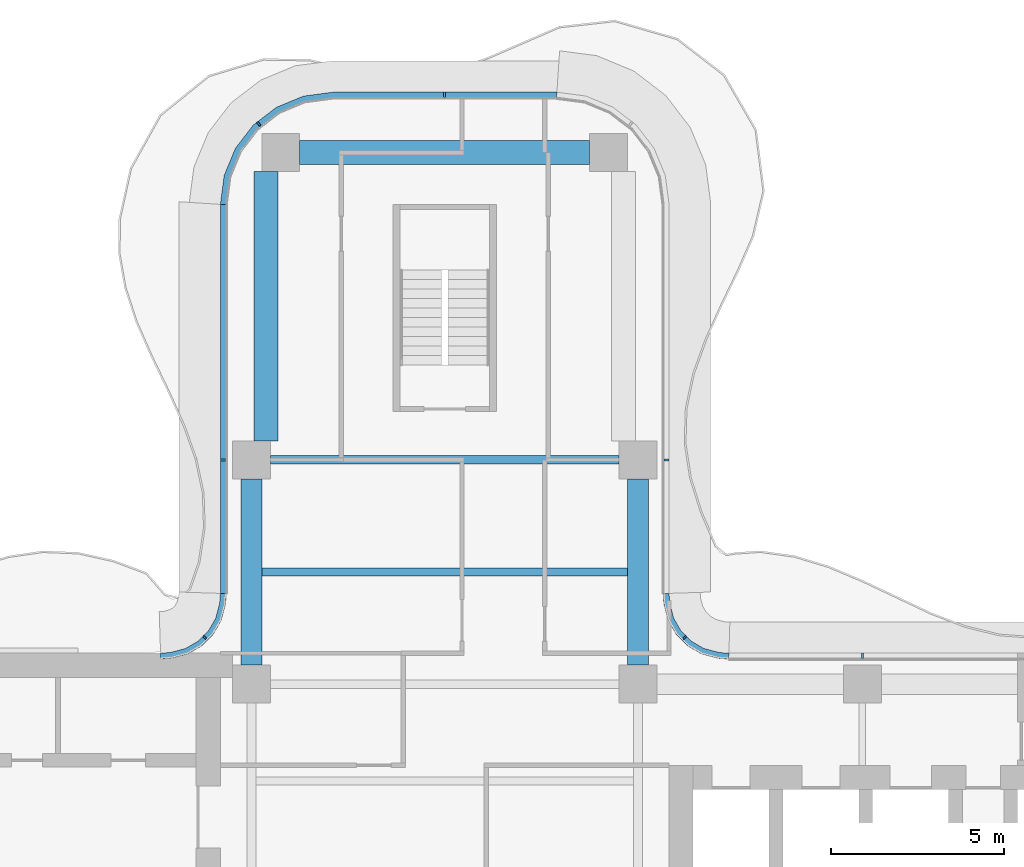
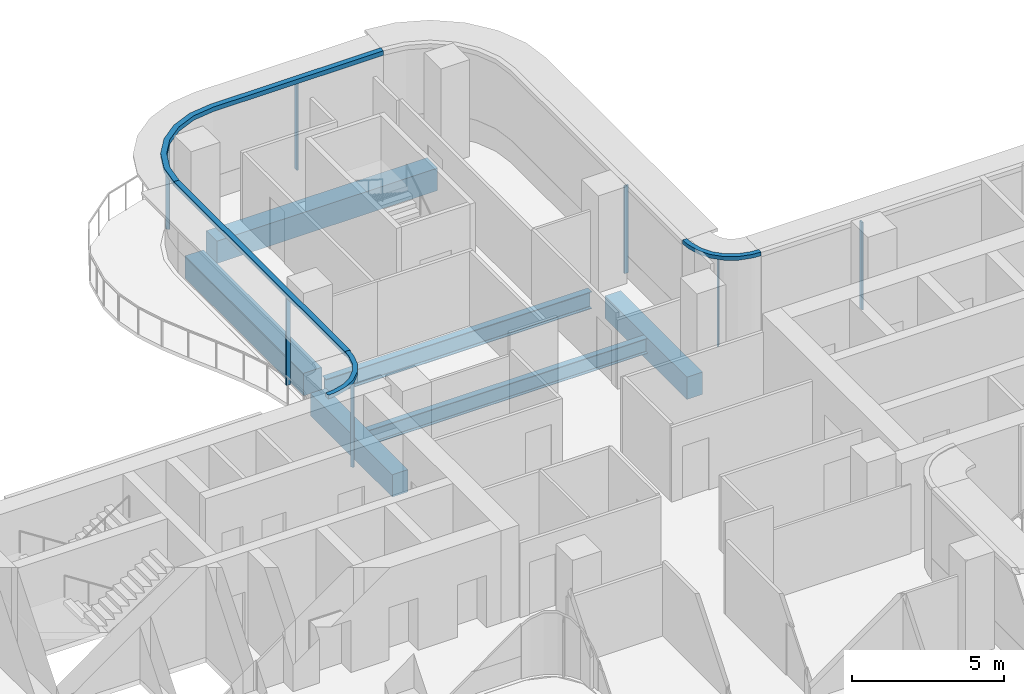
# One storey, part 7 of 17: 11 members, 6 beams, 6 elements without a shape of their own.
"""IFC4 building model written with IfcOpenShell, lengths in metres."""

from ifc_helpers import new_model, si_unit, direction, frame, origin, origin_2d, place, context, subcontext, project, spatial, polyline, rectangle, i_section, outline, extrude, source, transform, mapped, material, layer, layer_set, material_profile, profile_set, type_object, element, aggregate, save


model = new_model("IFC4")

# Units and contexts
model_context = context("Model", 3, precision=1e-05, world=origin(), true_north=direction((0.0, 1.0)))
body_context = subcontext(model_context, "Body", "Model", "MODEL_VIEW")
ifc_project = project(units=[si_unit("LENGTHUNIT", "METRE"), si_unit("AREAUNIT", "SQUARE_METRE"), si_unit("VOLUMEUNIT", "CUBIC_METRE"), si_unit("PLANEANGLEUNIT", "RADIAN"), si_unit("MASSUNIT", "GRAM", prefix="KILO")], contexts=[model_context])

# Site, building, storey
site_placement = place(None, origin())
site = spatial("IfcSite", under=ifc_project, at=site_placement, CompositionType="ELEMENT")
building_placement = place(site_placement, origin())
building = spatial("IfcBuilding", under=site, at=building_placement, Name="Trellis Farm Tower", CompositionType="ELEMENT")
storey_placement = place(building_placement, frame((0.0, 0.0, 240.199951171875)))
storey = spatial("IfcBuildingStorey", under=building, at=storey_placement, Name="L53", CompositionType="ELEMENT", Elevation=240.199951171875)

# Beams
ifc_material_1 = material(Name="Steel S355", Category="steel")
ifc_material_profile_1 = material_profile(ifc_material_1, i_section(OverallWidth=0.22900390625, OverallDepth=0.6123046875, WebThickness=0.011962890625, FlangeThickness=0.01953125, FilletRadius=0.0126953125, at=origin_2d()), Name="UB 610x229x125")
ifc_profile_set_1 = profile_set([ifc_material_profile_1], Name="Steel S355")
beam_type_1 = type_object("IfcBeamType", Name="UB 610x229x125 joist", PredefinedType="JOIST", material=ifc_profile_set_1)
shared_shape_1 = source(origin(), body_context, "Body", "SweptSolid", [
    extrude(i_section(OverallWidth=0.22900390625, OverallDepth=0.6123046875, WebThickness=0.011962890625, FlangeThickness=0.01953125, FilletRadius=0.0126953125, at=origin_2d()), origin(), (0.0, 0.0, 1.0), 10.60009765625),
])
beam_1_placement = place(storey_placement, frame((-5.300048828125, 8.85009765625, -0.506103515625), z_axis=(1.0, 0.0, 0.0), x_axis=(0.0, 1.0, 0.0)))
element("IfcBeam", 1, at=beam_1_placement, inside=storey, type_object=beam_type_1, Name="Floor beam", PredefinedType="JOIST", context=body_context, shape_type="MappedRepresentation", body=[
    mapped(shared_shape_1, transform((0.0, 0.0, 0.0))),
])
ifc_material_profile_2 = material_profile(ifc_material_1, i_section(OverallWidth=0.253662109375, OverallDepth=0.68359375, WebThickness=0.012451171875, FlangeThickness=0.021728515625, FilletRadius=0.01513671875, at=origin_2d()), Name="UB 686x254x140")
ifc_profile_set_2 = profile_set([ifc_material_profile_2], Name="Steel S355")
beam_type_2 = type_object("IfcBeamType", Name="UB 686x254x140", PredefinedType="BEAM", material=ifc_profile_set_2)
shared_shape_2 = source(origin(), body_context, "Body", "SweptSolid", [
    extrude(i_section(OverallWidth=0.253662109375, OverallDepth=0.68359375, WebThickness=0.012451171875, FlangeThickness=0.021728515625, FilletRadius=0.01513671875, at=origin_2d()), origin(), (0.0, 0.0, 1.0), 10.10009765625),
])
beam_2_placement = place(storey_placement, frame((-5.050048828125, 12.10009765625, -0.541748046875), z_axis=(1.0, 0.0, 0.0), x_axis=(0.0, 1.0, 0.0)))
element("IfcBeam", 2, at=beam_2_placement, inside=storey, type_object=beam_type_2, Name="Girder", PredefinedType="BEAM", context=body_context, shape_type="MappedRepresentation", body=[
    mapped(shared_shape_2, transform((0.0, 0.0, 0.0))),
])
ifc_material_2 = material(Name="Concrete C60/75", Category="concrete")
ifc_material_profile_3 = material_profile(ifc_material_2, rectangle(XDim=0.60009765625, YDim=0.89990234375, at=origin_2d()), Name="RC spandrel beam 600x900 C60/75")
ifc_profile_set_3 = profile_set([ifc_material_profile_3], Name="Concrete C60/75")
beam_type_3 = type_object("IfcBeamType", Name="RC spandrel beam 600x900 C60/75", PredefinedType="SPANDREL", material=ifc_profile_set_3)
shared_shape_3 = source(origin(), body_context, "Body", "SweptSolid", [
    extrude(rectangle(XDim=0.60009765625, YDim=0.89990234375, at=origin_2d()), origin(), (0.0, 0.0, 1.0), 5.400146484375),
])
for number, where, z_axis, x_axis, name in (
    (3, (-5.60009765625, 6.14990234375, -0.64990234375), (0.0, 1.0, 0.0), (-1.0, 0.0, 0.0), "Girder"),
    (4, (5.60009765625, 6.14990234375, -0.64990234375), (0.0, 1.0, 0.0), (-1.0, 0.0, 0.0), "Girder"),
):
    element("IfcBeam", number, at=place(storey_placement, frame(where, z_axis=z_axis, x_axis=x_axis)), inside=storey, type_object=beam_type_3, Name=name, PredefinedType="SPANDREL", context=body_context, shape_type="MappedRepresentation", body=[
        mapped(shared_shape_3, transform((0.0, 0.0, 0.0))),
    ])
ifc_material_profile_4 = material_profile(ifc_material_2, rectangle(XDim=0.699951171875, YDim=0.89990234375, at=origin_2d()), Name="RC spandrel beam 700x900 C60/75")
ifc_profile_set_4 = profile_set([ifc_material_profile_4], Name="Concrete C60/75")
beam_type_4 = type_object("IfcBeamType", Name="RC spandrel beam 700x900 C60/75", PredefinedType="SPANDREL", material=ifc_profile_set_4)
shared_shape_4 = source(origin(), body_context, "Body", "SweptSolid", [
    extrude(rectangle(XDim=0.699951171875, YDim=0.89990234375, at=origin_2d()), origin(), (0.0, 0.0, 1.0), 8.39990234375),
])
beam_3_placement = place(storey_placement, frame((-4.199951171875, 21.0, -0.64990234375), z_axis=(1.0, 0.0, 0.0), x_axis=(0.0, 1.0, 0.0)))
element("IfcBeam", 5, at=beam_3_placement, inside=storey, type_object=beam_type_4, Name="Girder", PredefinedType="SPANDREL", context=body_context, shape_type="MappedRepresentation", body=[
    mapped(shared_shape_4, transform((0.0, 0.0, 0.0))),
])
shared_shape_5 = source(origin(), body_context, "Body", "SweptSolid", [
    extrude(rectangle(XDim=0.699951171875, YDim=0.89990234375, at=origin_2d()), origin(), (0.0, 0.0, 1.0), 7.800048828125),
])
beam_4_placement = place(storey_placement, frame((-5.175048828125, 12.64990234375, -0.64990234375), z_axis=(0.0, 1.0, 0.0), x_axis=(-1.0, 0.0, 0.0)))
element("IfcBeam", 6, at=beam_4_placement, inside=storey, type_object=beam_type_4, Name="Girder", PredefinedType="SPANDREL", context=body_context, shape_type="MappedRepresentation", body=[
    mapped(shared_shape_5, transform((0.0, 0.0, 0.0))),
])

# Curtain wall, member
ifc_material_3 = material(Name="Aluminium and glass curtain wall", Category="aluminium")
ifc_layer_1 = layer(ifc_material_3, 0.166015625)
ifc_layer_set_1 = layer_set([ifc_layer_1], Name="WINTER GARDEN CURTAIN WALL CW3")
curtain_wall_type_1 = type_object("IfcCurtainWallType", Name="WINTER GARDEN CURTAIN WALL CW3", PredefinedType="NOTDEFINED", material=ifc_layer_set_1)
placement_1 = place(storey_placement, origin())
curtain_wall_1 = element("IfcCurtainWall", 7, at=placement_1, inside=storey, type_object=curtain_wall_type_1, Name="CW3 003", PredefinedType="NOTDEFINED")
ifc_material_4 = material(Name="Aluminium extrusion 6063-T6", Category="aluminium")
ifc_layer_2 = layer(ifc_material_4, 0.169921875)
ifc_layer_set_2 = layer_set([ifc_layer_2], Name="Aluminium extrusion 6063-T6")
member_type_1 = type_object("IfcMemberType", Name="CW3 TRANSOM 170x150", PredefinedType="USERDEFINED", material=ifc_layer_set_2)
shared_shape_6 = source(origin(), body_context, "Body", "SweptSolid", [
    extrude(outline(polyline([(8.2314453125, 6.5), (8.01953125, 6.513916015625), (7.91552734375, 6.527587890625), (7.508544921875, 6.63671875), (7.144287109375, 6.846923828125), (6.846923828125, 7.144287109375), (6.63671875, 7.508544921875), (6.527587890625, 7.91552734375), (6.513916015625, 8.01953125), (6.5, 8.2314453125), (6.330078125, 8.225830078125), (6.3447265625, 8.0029296875), (6.360595703125, 7.88232421875), (6.478271484375, 7.44287109375), (6.7109375, 7.0400390625), (7.0400390625, 6.7109375), (7.44287109375, 6.478271484375), (7.88232421875, 6.360595703125), (8.0029296875, 6.3447265625), (8.225830078125, 6.330078125), (8.2314453125, 6.5)])), origin(), (0.0, 0.0, 1.0), 0.14990234375),
])
placement_2 = place(storey_placement, frame((0.0, 0.0, 3.550048828125)))
member_1 = element("IfcMember", 8, at=placement_2, type_object=member_type_1, Name="TR3 003", ObjectType="TRANSOM", PredefinedType="USERDEFINED", context=body_context, shape_type="MappedRepresentation", body=[
    mapped(shared_shape_6, transform((0.0, 0.0, 0.0))),
])

curtain_wall_2 = element("IfcCurtainWall", 9, at=placement_1, inside=storey, type_object=curtain_wall_type_1, Name="CW3 004", PredefinedType="NOTDEFINED")
shared_shape_7 = source(origin(), body_context, "Body", "SweptSolid", [
    extrude(outline(polyline([(-6.5, 8.2314453125), (-6.513916015625, 8.01953125), (-6.527587890625, 7.91552734375), (-6.63671875, 7.508544921875), (-6.846923828125, 7.144287109375), (-7.144287109375, 6.846923828125), (-7.508544921875, 6.63671875), (-7.91552734375, 6.527587890625), (-8.01953125, 6.513916015625), (-8.2314453125, 6.5), (-8.225830078125, 6.330078125), (-8.0029296875, 6.3447265625), (-7.88232421875, 6.360595703125), (-7.44287109375, 6.478271484375), (-7.0400390625, 6.7109375), (-6.7109375, 7.0400390625), (-6.478271484375, 7.44287109375), (-6.360595703125, 7.88232421875), (-6.3447265625, 8.0029296875), (-6.330078125, 8.225830078125), (-6.5, 8.2314453125)])), origin(), (0.0, 0.0, 1.0), 0.14990234375),
])
member_2 = element("IfcMember", 10, at=placement_2, type_object=member_type_1, Name="TR3 004", ObjectType="TRANSOM", PredefinedType="USERDEFINED", context=body_context, shape_type="MappedRepresentation", body=[
    mapped(shared_shape_7, transform((0.0, 0.0, 0.0))),
])

ifc_layer_3 = layer(ifc_material_3, 0.18994140625)
ifc_layer_set_3 = layer_set([ifc_layer_3], Name="RIBBON CURTAIN WALL CW1")
curtain_wall_type_2 = type_object("IfcCurtainWallType", Name="RIBBON CURTAIN WALL CW1", PredefinedType="NOTDEFINED", material=ifc_layer_set_3)
curtain_wall_3 = element("IfcCurtainWall", 11, at=placement_1, inside=storey, type_object=curtain_wall_type_2, Name="CW1 008", PredefinedType="NOTDEFINED")
ifc_material_profile_5 = material_profile(ifc_material_4, rectangle(XDim=0.06005859375, YDim=0.14990234375, at=origin_2d()), Name="MULLION 60x150")
ifc_profile_set_5 = profile_set([ifc_material_profile_5], Name="Aluminium extrusion 6063-T6")
member_type_2 = type_object("IfcMemberType", Name="CW1 MULLION 60x150", PredefinedType="MULLION", material=ifc_profile_set_5)
shared_shape_8 = source(origin(), body_context, "Body", "SweptSolid", [
    extrude(rectangle(XDim=0.06005859375, YDim=0.14990234375, at=origin_2d()), origin(), (0.0, 0.0, 1.0), 3.52001953125),
])
member_3_placement = place(storey_placement, frame((12.10009765625, 6.425048828125, 0.0), z_axis=(0.0, 0.0, 1.0), x_axis=(-1.0, 0.0, 0.0)))
member_3 = element("IfcMember", 12, at=member_3_placement, type_object=member_type_2, Name="MU1 008-02", PredefinedType="MULLION", context=body_context, shape_type="MappedRepresentation", body=[
    mapped(shared_shape_8, transform((0.0, 0.0, 0.0))),
])
aggregate(curtain_wall_3, [member_3])

curtain_wall_4 = element("IfcCurtainWall", 13, at=placement_1, inside=storey, type_object=curtain_wall_type_2, Name="CW1 009", PredefinedType="NOTDEFINED")
member_4_placement = place(storey_placement, frame((6.425048828125, 12.10009765625, 0.0), z_axis=(0.0, 0.0, 1.0), x_axis=(0.0, 1.0, 0.0)))
member_4 = element("IfcMember", 14, at=member_4_placement, type_object=member_type_2, Name="MU1 009-01", PredefinedType="MULLION", context=body_context, shape_type="MappedRepresentation", body=[
    mapped(shared_shape_8, transform((0.0, 0.0, 0.0))),
])
aggregate(curtain_wall_4, [member_4])

# Curtain wall, members
curtain_wall_5 = element("IfcCurtainWall", 15, at=placement_1, inside=storey, type_object=curtain_wall_type_2, Name="CW1 010", PredefinedType="NOTDEFINED")
member_5_placement = place(storey_placement, frame((0.0, 22.675048828125, 0.0), z_axis=(0.0, 0.0, 1.0), x_axis=(-1.0, 0.0, 0.0)))
member_5 = element("IfcMember", 16, at=member_5_placement, type_object=member_type_2, Name="MU1 010-01", PredefinedType="MULLION", context=body_context, shape_type="MappedRepresentation", body=[
    mapped(shared_shape_8, transform((0.0, 0.0, 0.0))),
])
member_6_placement = place(storey_placement, frame((-5.385498046875, 21.828369140625, 0.0), z_axis=(0.0, 0.0, 1.0), x_axis=(-0.793353340291, -0.608761429009, 0.0)))
member_6 = element("IfcMember", 17, at=member_6_placement, type_object=member_type_2, Name="MU1 010-02", PredefinedType="MULLION", context=body_context, shape_type="MappedRepresentation", body=[
    mapped(shared_shape_8, transform((0.0, 0.0, 0.0))),
])

# Curtain wall, member
curtain_wall_6 = element("IfcCurtainWall", 18, at=placement_1, inside=storey, type_object=curtain_wall_type_2, Name="CW1 011", PredefinedType="NOTDEFINED")
member_7_placement = place(storey_placement, frame((-6.425048828125, 12.10009765625, 0.0), z_axis=(0.0, 0.0, 1.0), x_axis=(0.0, -1.0, 0.0)))
member_7 = element("IfcMember", 19, at=member_7_placement, type_object=member_type_2, Name="MU1 011-01", PredefinedType="MULLION", context=body_context, shape_type="MappedRepresentation", body=[
    mapped(shared_shape_8, transform((0.0, 0.0, 0.0))),
])

# Member
ifc_material_profile_6 = material_profile(ifc_material_4, rectangle(XDim=0.050048828125, YDim=0.1201171875, at=origin_2d()), Name="MULLION 50x120")
ifc_profile_set_6 = profile_set([ifc_material_profile_6], Name="Aluminium extrusion 6063-T6")
member_type_3 = type_object("IfcMemberType", Name="CW3 MULLION 50x120", PredefinedType="MULLION", material=ifc_profile_set_6)
shared_shape_9 = source(origin(), body_context, "Body", "SweptSolid", [
    extrude(rectangle(XDim=0.050048828125, YDim=0.1201171875, at=origin_2d()), origin(), (0.0, 0.0, 1.0), 3.550048828125),
])
member_8_placement = place(storey_placement, frame((6.953125, 6.953125, 0.0), z_axis=(0.0, 0.0, 1.0), x_axis=(-0.707106781187, 0.707106781187, 0.0)))
member_8 = element("IfcMember", 20, at=member_8_placement, type_object=member_type_3, Name="MU3 003-01", PredefinedType="MULLION", context=body_context, shape_type="MappedRepresentation", body=[
    mapped(shared_shape_9, transform((0.0, 0.0, 0.0))),
])

aggregate(curtain_wall_1, [member_8, member_1])

member_9_placement = place(storey_placement, frame((-6.953125, 6.953125, 0.0), z_axis=(0.0, 0.0, 1.0), x_axis=(-0.707106781187, -0.707106781187, 0.0)))
member_9 = element("IfcMember", 21, at=member_9_placement, type_object=member_type_3, Name="MU3 004-01", PredefinedType="MULLION", context=body_context, shape_type="MappedRepresentation", body=[
    mapped(shared_shape_9, transform((0.0, 0.0, 0.0))),
])

aggregate(curtain_wall_2, [member_9, member_2])

ifc_layer_4 = layer(ifc_material_4, 0.199951171875)
ifc_layer_set_4 = layer_set([ifc_layer_4], Name="Aluminium extrusion 6063-T6")
member_type_4 = type_object("IfcMemberType", Name="CW1 TRANSOM 200x180", PredefinedType="USERDEFINED", material=ifc_layer_set_4)
shared_shape_10 = source(origin(), body_context, "Body", "SweptSolid", [
    extrude(outline(polyline([(3.25, 22.75), (-3.25, 22.75), (-4.091064453125, 22.63916015625), (-4.875, 22.314697265625), (-5.548095703125, 21.798095703125), (-6.064697265625, 21.125), (-6.38916015625, 20.341064453125), (-6.5, 19.5), (-6.300048828125, 19.48681640625), (-6.1943359375, 20.2890625), (-5.889892578125, 21.024169921875), (-5.405517578125, 21.655517578125), (-4.774169921875, 22.139892578125), (-4.0390625, 22.4443359375), (-3.23681640625, 22.550048828125), (3.23681640625, 22.550048828125), (3.25, 22.75)])), origin(), (0.0, 0.0, 1.0), 0.179931640625),
])
placement_3 = place(storey_placement, frame((0.0, 0.0, 3.52001953125)))
member_10 = element("IfcMember", 22, at=placement_3, type_object=member_type_4, Name="TR1 010", ObjectType="TRANSOM", PredefinedType="USERDEFINED", context=body_context, shape_type="MappedRepresentation", body=[
    mapped(shared_shape_10, transform((0.0, 0.0, 0.0))),
])

aggregate(curtain_wall_5, [member_5, member_6, member_10])

shared_shape_11 = source(origin(), body_context, "Body", "SweptSolid", [
    extrude(outline(polyline([(-6.5, 19.5), (-6.5, 8.2314453125), (-6.300048828125, 8.224853515625), (-6.300048828125, 19.48681640625), (-6.5, 19.5)])), origin(), (0.0, 0.0, 1.0), 0.179931640625),
])
member_11 = element("IfcMember", 23, at=placement_3, type_object=member_type_4, Name="TR1 011", ObjectType="TRANSOM", PredefinedType="USERDEFINED", context=body_context, shape_type="MappedRepresentation", body=[
    mapped(shared_shape_11, transform((0.0, 0.0, 0.0))),
])

aggregate(curtain_wall_6, [member_7, member_11])

save(model, "model.ifc")
